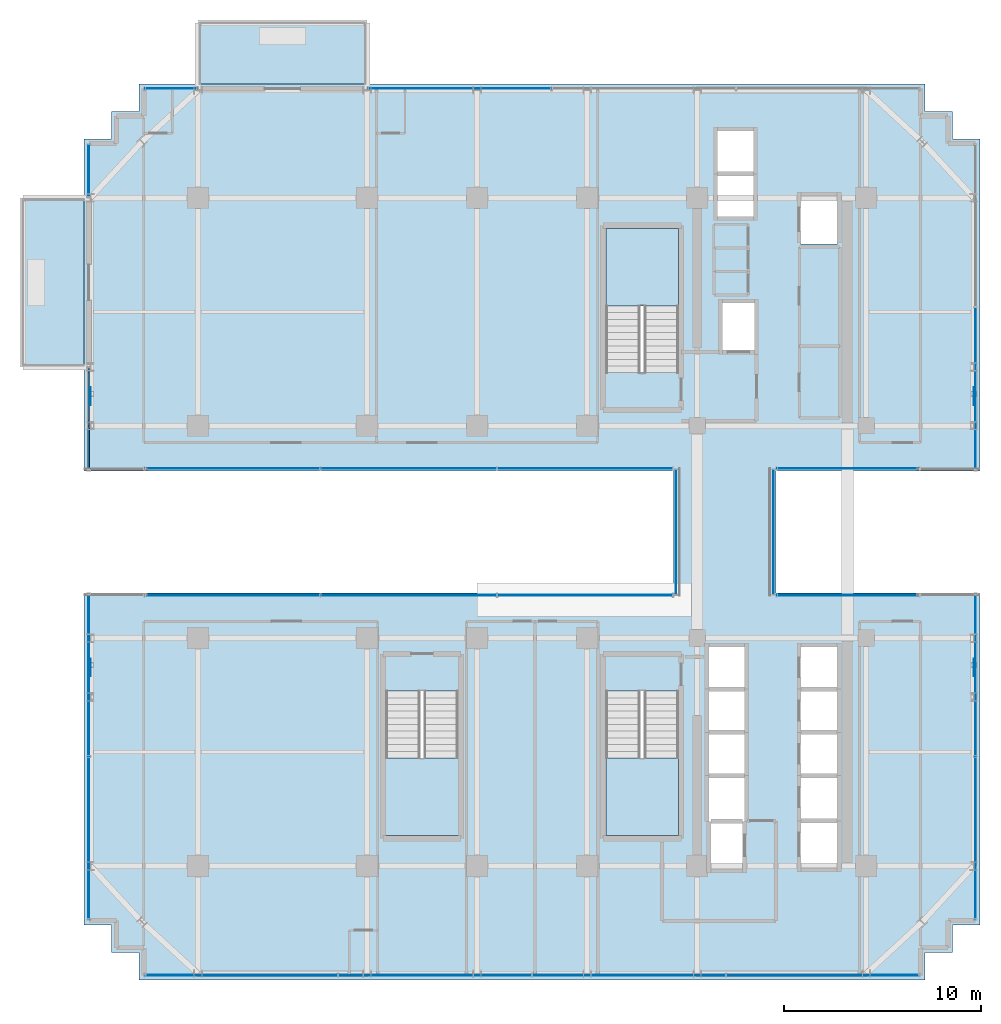
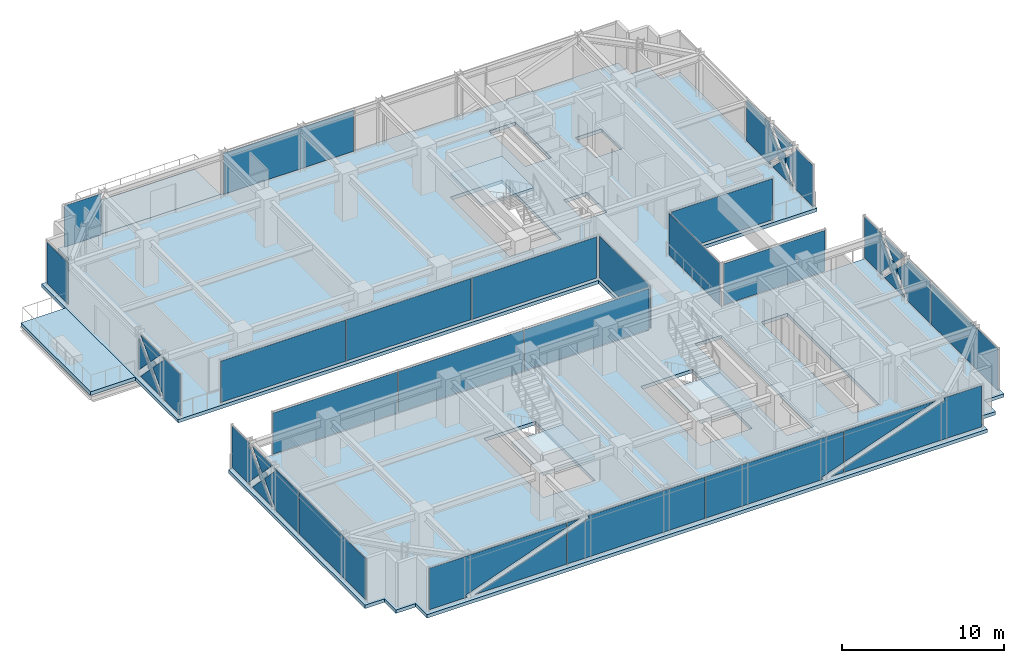
# One storey, part 29 of 37: 27 plates, 6 slabs, 17 elements without a shape of their own.
"""IFC4 building model written with IfcOpenShell, lengths in metres."""

import ifcopenshell
import ifcopenshell.guid

model = None  # the IFC model being written
_history = None  # IfcOwnerHistory: only IFC2X3 demands one
_inside = {}  # id of a spatial element -> (the spatial element, [elements in it])
_under = {}  # id of a project, library or spatial element -> (it, [spatial elements below it])
_declared = {}  # id of a project -> (the project, [libraries it declares])
_typed = {}  # id of a type object -> (the type object, [elements of that type])
_made_of = {}  # id of a material, layer set ... -> (it, [elements and type objects made of it])


def new_model(schema):
    """Start an empty IFC model of exactly this schema.

    Asked for "IFC4X3", IfcOpenShell would pick the latest addendum, in which some entities
    have other attributes; the version numbers below select the first issue.
    IFC2X3 requires an IfcOwnerHistory on every rooted entity: one is made here for all.
    """
    global model, _history
    if schema == "IFC4X3":
        model = ifcopenshell.file(schema_version=(4, 3, 0, 0))
    else:
        model = ifcopenshell.file(schema=schema)
    _inside.clear()
    _under.clear()
    _declared.clear()
    _typed.clear()
    _made_of.clear()
    _history = None
    if model.schema == "IFC2X3":
        org = make("IfcOrganization", Name="unknown")
        user = make(
            "IfcPersonAndOrganization",
            ThePerson=make("IfcPerson", FamilyName="unknown"),
            TheOrganization=org,
        )
        app = make(
            "IfcApplication",
            ApplicationDeveloper=org,
            Version="unknown",
            ApplicationFullName="unknown",
            ApplicationIdentifier="unknown",
        )
        _history = make(
            "IfcOwnerHistory",
            OwningUser=user,
            OwningApplication=app,
            ChangeAction="ADDED",
            CreationDate=0,
        )
    return model


def make(cls, **values):
    """One entity of the class cls with the attributes given. An attribute that is None is left unset."""
    return model.create_entity(
        cls, **{name: value for name, value in values.items() if value is not None}
    )


def rooted(cls, **values):
    """An entity with a GlobalId (a new one), such as an element, a storey or a relation."""
    return make(cls, GlobalId=ifcopenshell.guid.new(), OwnerHistory=_history, **values)


def si_unit(unit_type, name, prefix=None):
    """IfcSIUnit, for example si_unit("LENGTHUNIT", "METRE", prefix="MILLI")."""
    return make("IfcSIUnit", UnitType=unit_type, Prefix=prefix, Name=name)


def assignment(units):
    """IfcUnitAssignment: the units of a project."""
    return None if units is None else make("IfcUnitAssignment", Units=units)


def point(xyz):
    """IfcCartesianPoint."""
    return None if xyz is None else make("IfcCartesianPoint", Coordinates=xyz)


def direction(xyz):
    """IfcDirection."""
    return None if xyz is None else make("IfcDirection", DirectionRatios=xyz)


def frame(location, z_axis=None, x_axis=None):
    """IfcAxis2Placement3D, a coordinate frame: its origin and axes. An axis left out is left unset."""
    return make(
        "IfcAxis2Placement3D",
        Location=point(location),
        Axis=direction(z_axis),
        RefDirection=direction(x_axis),
    )


def frame_2d(location, x_axis=None):
    """IfcAxis2Placement2D, a coordinate frame in the plane: its origin and x axis."""
    return make(
        "IfcAxis2Placement2D", Location=point(location), RefDirection=direction(x_axis)
    )


def origin():
    """The frame at (0, 0, 0) with its axes left unset."""
    return frame((0.0, 0.0, 0.0))


def origin_2d():
    """The frame at (0, 0) in the plane with its x axis left unset."""
    return frame_2d((0.0, 0.0))


def place(relative_to, where):
    """IfcLocalPlacement: puts the frame where relative to a parent placement (None: the world)."""
    return make(
        "IfcLocalPlacement", PlacementRelTo=relative_to, RelativePlacement=where
    )


def context(
    kind, dimensions, precision=None, world=None, true_north=None, identifier=None
):
    """IfcGeometricRepresentationContext, for example the 3D "Model" context."""
    return make(
        "IfcGeometricRepresentationContext",
        ContextIdentifier=identifier,
        ContextType=kind,
        CoordinateSpaceDimension=dimensions,
        Precision=precision,
        WorldCoordinateSystem=world,
        TrueNorth=true_north,
    )


def subcontext(parent, identifier, kind, view, scale=None):
    """IfcGeometricRepresentationSubContext, for example "Body" below "Model"."""
    return make(
        "IfcGeometricRepresentationSubContext",
        ContextIdentifier=identifier,
        ContextType=kind,
        ParentContext=parent,
        TargetScale=scale,
        TargetView=view,
    )


def project(units=None, contexts=None):
    """IfcProject with its units and contexts."""
    return rooted(
        "IfcProject",
        Name="project",
        RepresentationContexts=contexts,
        UnitsInContext=assignment(units),
    )


def spatial(cls, under=None, at=None, **own):
    """A site, building, storey or space (cls), placed at a placement, below another one or the project."""
    s = rooted(cls, ObjectPlacement=at, **own)
    if under is not None:
        _under.setdefault(under.id(), (under, []))[1].append(s)
    return s


def polyline(points):
    """IfcPolyline through the points."""
    return make("IfcPolyline", Points=[point(p) for p in points])


def profile(cls, at=None, kind="AREA", **sizes):
    """A parametric profile (cls). Its sizes go by their IFC names, for example OverallWidth=200.0."""
    return make(cls, ProfileType=kind, Position=at, **sizes)


def rectangle(**sizes):
    """IfcRectangleProfileDef."""
    return profile("IfcRectangleProfileDef", **sizes)


def outline(outer, holes=None, kind="AREA"):
    """IfcArbitraryClosedProfileDef: a profile drawn as a closed curve; with holes, ...WithVoids."""
    if holes is None:
        return make("IfcArbitraryClosedProfileDef", ProfileType=kind, OuterCurve=outer)
    return make(
        "IfcArbitraryProfileDefWithVoids",
        ProfileType=kind,
        OuterCurve=outer,
        InnerCurves=holes,
    )


def extrude(swept, where, along, depth):
    """IfcExtrudedAreaSolid: the profile swept, set in the frame where, extruded along a direction by depth."""
    return make(
        "IfcExtrudedAreaSolid",
        SweptArea=swept,
        Position=where,
        ExtrudedDirection=direction(along),
        Depth=depth,
    )


def shape(context_of_items, identifier, shape_type, items):
    """IfcShapeRepresentation: the items that make up one representation, for example the "Body"."""
    return make(
        "IfcShapeRepresentation",
        ContextOfItems=context_of_items,
        RepresentationIdentifier=identifier,
        RepresentationType=shape_type,
        Items=items,
    )


def source(mapping_origin, context_of_items, identifier, shape_type, items):
    """IfcRepresentationMap: a shape defined once, which mapped items show again and again."""
    return make(
        "IfcRepresentationMap",
        MappingOrigin=mapping_origin,
        MappedRepresentation=shape(context_of_items, identifier, shape_type, items),
    )


def transform(
    local_origin,
    x_axis=None,
    y_axis=None,
    z_axis=None,
    scale=None,
    scale2=None,
    scale3=None,
    uniform=True,
):
    """IfcCartesianTransformationOperator3D, or its non-uniform kind. x_axis, y_axis, z_axis: its Axis1, 2, 3."""
    if uniform:
        return make(
            "IfcCartesianTransformationOperator3D",
            Axis1=direction(x_axis),
            Axis2=direction(y_axis),
            LocalOrigin=point(local_origin),
            Scale=scale,
            Axis3=direction(z_axis),
        )
    return make(
        "IfcCartesianTransformationOperator3DnonUniform",
        Axis1=direction(x_axis),
        Axis2=direction(y_axis),
        LocalOrigin=point(local_origin),
        Scale=scale,
        Axis3=direction(z_axis),
        Scale2=scale2,
        Scale3=scale3,
    )


def mapped(mapping_source, mapping_target):
    """IfcMappedItem: shows the shape of a source again, moved by a transform."""
    return make(
        "IfcMappedItem", MappingSource=mapping_source, MappingTarget=mapping_target
    )


def material(Name=None, Category=None):
    """IfcMaterial."""
    return make("IfcMaterial", Name=Name, Category=Category)


def layer(
    of_material, thickness, ventilated=None, Name=None, Category=None, Priority=None
):
    """IfcMaterialLayer: one layer of a wall or slab, of a material (None: an air gap)."""
    return make(
        "IfcMaterialLayer",
        Material=of_material,
        LayerThickness=thickness,
        IsVentilated=ventilated,
        Name=Name,
        Category=Category,
        Priority=Priority,
    )


def layer_set(layers, Name=None):
    """IfcMaterialLayerSet."""
    return make("IfcMaterialLayerSet", MaterialLayers=layers, LayerSetName=Name)


def made_of(thing, what):
    """Note that an element or type object is made of a material, layer set ...; save() writes the relation."""
    if what is not None:
        _made_of.setdefault(what.id(), (what, []))[1].append(thing)
    return thing


def type_object(cls, material=None, **own):
    """A type object (cls), such as IfcWallType, which elements share."""
    return made_of(rooted(cls, **own), material)


def element(
    cls,
    number,
    at=None,
    inside=None,
    cuts=None,
    type_object=None,
    material=None,
    context=None,
    identifier="Body",
    shape_type=None,
    held_by="IfcProductDefinitionShape",
    body=None,
    shapes=None,
    **own,
):
    """One element of the class cls, such as IfcWall. Its Tag is "e" and its number.

    at: its placement. inside: the storey or other place that contains it. cuts: it is an
    opening in that element (IfcRelVoidsElement). A single representation is given by context,
    identifier, shape_type and body (its items); several are given by shapes. held_by: the class
    of the entity that holds the representations. save() writes the other relations.
    """
    e = rooted(cls, Tag="e%d" % number, ObjectPlacement=at, **own)
    if body is not None:
        shapes = [shape(context, identifier, shape_type, body)]
    if shapes is not None:
        e.Representation = make(held_by, Representations=shapes)
    if inside is not None:
        _inside.setdefault(inside.id(), (inside, []))[1].append(e)
    if cuts is not None:
        rooted(
            "IfcRelVoidsElement", RelatingBuildingElement=cuts, RelatedOpeningElement=e
        )
    if type_object is not None:
        _typed.setdefault(type_object.id(), (type_object, []))[1].append(e)
    return made_of(e, material)


def aggregate(whole, parts):
    """IfcRelAggregates: a whole, such as a stair, and the parts it consists of."""
    return rooted("IfcRelAggregates", RelatingObject=whole, RelatedObjects=parts)


def save(model, path):
    """Write the relations noted so far, then the file.

    IfcRelAggregates (storeys below a building ...), IfcRelContainedInSpatialStructure (elements
    in a storey), IfcRelDefinesByType, IfcRelAssociatesMaterial and IfcRelDeclares: one each for
    every whole, place, type object, material and project.
    """
    for whole, parts in _under.values():
        aggregate(whole, parts)
    for where, things in _inside.values():
        rooted(
            "IfcRelContainedInSpatialStructure",
            RelatedElements=things,
            RelatingStructure=where,
        )
    for kind, things in _typed.values():
        rooted("IfcRelDefinesByType", RelatedObjects=things, RelatingType=kind)
    for what, things in _made_of.values():
        rooted("IfcRelAssociatesMaterial", RelatedObjects=things, RelatingMaterial=what)
    for by, libraries in _declared.values():
        rooted("IfcRelDeclares", RelatingContext=by, RelatedDefinitions=libraries)
    model.write(path)


model = new_model("IFC4")

# Units and contexts
model_context = context("Model", 3, precision=1e-05, world=origin(), true_north=direction((0.0, 1.0)))
body_context = subcontext(model_context, "Body", "Model", "MODEL_VIEW")
ifc_project = project(units=[si_unit("LENGTHUNIT", "METRE"), si_unit("AREAUNIT", "SQUARE_METRE"), si_unit("VOLUMEUNIT", "CUBIC_METRE"), si_unit("PLANEANGLEUNIT", "RADIAN"), si_unit("MASSUNIT", "GRAM", prefix="KILO")], contexts=[model_context])

# Site, building, storey
site_placement = place(None, origin())
site = spatial("IfcSite", under=ifc_project, at=site_placement, CompositionType="ELEMENT")
building_placement = place(site_placement, origin())
building = spatial("IfcBuilding", under=site, at=building_placement, Name="Nahalor Promenade Grand Hotel", CompositionType="ELEMENT")
storey_placement = place(building_placement, frame((0.0, 0.0, 167.25)))
storey = spatial("IfcBuildingStorey", under=building, at=storey_placement, Name="L42", CompositionType="ELEMENT", Elevation=167.25)

# Curtain wall, plates
ifc_material_1 = material(Name="Anodised Bronze Aluminium EN AW-6063 T6", Category="aluminium")
curtain_wall_type_1 = type_object("IfcCurtainWallType", Name="CW3 Elliptical-Void Collar Unitised Curtain Wall", PredefinedType="USERDEFINED", material=ifc_material_1)
curtain_wall_1_placement = place(storey_placement, origin())
curtain_wall_1 = element("IfcCurtainWall", 1, at=curtain_wall_1_placement, inside=storey, type_object=curtain_wall_type_1, Name="L42 Curtain Wall CW-L42-S-1", ObjectType="UNITISED_CURTAIN_WALL", PredefinedType="USERDEFINED")
ifc_material_2 = material(Name="Low-E Laminated Solar Glass", Category="glass")
ifc_layer_1 = layer(ifc_material_2, 0.030029296875)
ifc_layer_set_1 = layer_set([ifc_layer_1], Name="Low-E Laminated Solar Glass")
plate_type_1 = type_object("IfcPlateType", Name="CWP3 High-Wind Laminated Bronze IGU 30mm", PredefinedType="CURTAIN_PANEL", material=ifc_layer_set_1)
plate_1_placement = place(storey_placement, frame((-14.802490234375, -22.56005859375, 0.14013671875), z_axis=(0.0, 0.0, 1.0), x_axis=(1.0, 0.0, 0.0)))
plate_1 = element("IfcPlate", 2, at=plate_1_placement, type_object=plate_type_1, Name="CW-L42-S-1 Glazing Panel 0-0", PredefinedType="CURTAIN_PANEL", context=body_context, shape_type="SweptSolid", body=[
    extrude(outline(polyline([(-4.887451171875, 3.110107421875), (-4.887451171875, 0.0), (-2.220458984375, 0.0), (-2.28857421875, 0.189697265625), (4.887451171875, 2.76806640625), (4.887451171875, 3.110107421875), (-4.887451171875, 3.110107421875)])), frame((0.0, 0.01513671875, 0.0), z_axis=(0.0, -1.0, 0.0), x_axis=(1.0, 0.0, 0.0)), (0.0, 0.0, 1.0), 0.030029296875),
    extrude(outline(polyline([(-1.6337890625, 0.0), (4.887451171875, 0.0), (4.887451171875, 2.343017578125), (-1.6337890625, 0.0)])), frame((0.0, 0.01513671875, 0.0), z_axis=(0.0, -1.0, 0.0), x_axis=(1.0, 0.0, 0.0)), (0.0, 0.0, 1.0), 0.030029296875),
])
plate_2_placement = place(storey_placement, frame((-4.93994140625, -22.56005859375, 0.14013671875), z_axis=(0.0, 0.0, 1.0), x_axis=(1.0, 0.0, 0.0)))
plate_2 = element("IfcPlate", 3, at=plate_2_placement, type_object=plate_type_1, Name="CW-L42-S-1 Glazing Panel 1-0", PredefinedType="CURTAIN_PANEL", context=body_context, shape_type="SweptSolid", body=[
    extrude(outline(polyline([(4.905029296875, 0.0), (4.905029296875, 3.110107421875), (-3.43701171875, 3.110107421875), (-3.368896484375, 2.920166015625), (-4.905029296875, 2.368408203125), (-4.905029296875, 0.0), (4.905029296875, 0.0)])), frame((0.0, 0.01513671875, 0.0), z_axis=(0.0, -1.0, 0.0), x_axis=(1.0, 0.0, 0.0)), (0.0, 0.0, 1.0), 0.030029296875),
    extrude(outline(polyline([(-4.023681640625, 3.110107421875), (-4.905029296875, 3.110107421875), (-4.905029296875, 2.793212890625), (-4.023681640625, 3.110107421875)])), frame((0.0, 0.01513671875, 0.0), z_axis=(0.0, -1.0, 0.0), x_axis=(1.0, 0.0, 0.0)), (0.0, 0.0, 1.0), 0.030029296875),
])
plate_3_placement = place(storey_placement, frame((4.93994140625, -22.56005859375, 0.14013671875), z_axis=(0.0, 0.0, 1.0), x_axis=(1.0, 0.0, 0.0)))
plate_3 = element("IfcPlate", 4, at=plate_3_placement, type_object=plate_type_1, Name="CW-L42-S-1 Glazing Panel 2-0", PredefinedType="CURTAIN_PANEL", context=body_context, shape_type="SweptSolid", body=[
    extrude(outline(polyline([(-4.905029296875, 3.110107421875), (-4.905029296875, 0.0), (3.43701171875, 0.0), (3.368896484375, 0.189697265625), (4.905029296875, 0.74169921875), (4.905029296875, 3.110107421875), (-4.905029296875, 3.110107421875)])), frame((0.0, 0.01513671875, 0.0), z_axis=(0.0, -1.0, 0.0), x_axis=(1.0, 0.0, 0.0)), (0.0, 0.0, 1.0), 0.030029296875),
    extrude(outline(polyline([(4.023681640625, 0.0), (4.905029296875, 0.0), (4.905029296875, 0.316650390625), (4.023681640625, 0.0)])), frame((0.0, 0.01513671875, 0.0), z_axis=(0.0, -1.0, 0.0), x_axis=(1.0, 0.0, 0.0)), (0.0, 0.0, 1.0), 0.030029296875),
])
plate_4_placement = place(storey_placement, frame((14.802490234375, -22.56005859375, 0.14013671875), z_axis=(0.0, 0.0, 1.0), x_axis=(1.0, 0.0, 0.0)))
plate_4 = element("IfcPlate", 5, at=plate_4_placement, type_object=plate_type_1, Name="CW-L42-S-1 Glazing Panel 3-0", PredefinedType="CURTAIN_PANEL", context=body_context, shape_type="SweptSolid", body=[
    extrude(outline(polyline([(4.887451171875, 0.0), (4.887451171875, 3.110107421875), (2.220458984375, 3.110107421875), (2.28857421875, 2.920166015625), (-4.887451171875, 0.341796875), (-4.887451171875, 0.0), (4.887451171875, 0.0)])), frame((0.0, 0.01513671875, 0.0), z_axis=(0.0, -1.0, 0.0), x_axis=(1.0, 0.0, 0.0)), (0.0, 0.0, 1.0), 0.030029296875),
    extrude(outline(polyline([(1.6337890625, 3.110107421875), (-4.887451171875, 3.110107421875), (-4.887451171875, 0.766845703125), (1.6337890625, 3.110107421875)])), frame((0.0, 0.01513671875, 0.0), z_axis=(0.0, -1.0, 0.0), x_axis=(1.0, 0.0, 0.0)), (0.0, 0.0, 1.0), 0.030029296875),
])
aggregate(curtain_wall_1, [plate_1, plate_2, plate_3, plate_4])

# Curtain wall, plate
curtain_wall_2_placement = place(storey_placement, origin())
curtain_wall_2 = element("IfcCurtainWall", 6, at=curtain_wall_2_placement, inside=storey, type_object=curtain_wall_type_1, Name="L42 Curtain Wall CW-L42-W-1", ObjectType="UNITISED_CURTAIN_WALL", PredefinedType="USERDEFINED")
plate_5_placement = place(storey_placement, frame((-22.56005859375, -7.282470703125, 0.14013671875), z_axis=(0.0, 0.0, 1.0), x_axis=(0.0, 1.0, 0.0)))
plate_5 = element("IfcPlate", 7, at=plate_5_placement, type_object=plate_type_1, Name="CW-L42-W-1 Glazing Panel 1-0", PredefinedType="CURTAIN_PANEL", context=body_context, shape_type="SweptSolid", body=[
    extrude(outline(polyline([(-4.112548828125, 3.110107421875), (-4.112548828125, 0.0), (-1.14306640625, 0.0), (-1.2783203125, 0.13134765625), (0.103759765625, 1.554931640625), (-1.2783203125, 2.978515625), (-1.14306640625, 3.110107421875), (-4.112548828125, 3.110107421875)])), frame((0.0, 0.01513671875, 0.0), z_axis=(0.0, -1.0, 0.0), x_axis=(1.0, 0.0, 0.0)), (0.0, 0.0, 1.0), 0.030029296875),
    extrude(outline(polyline([(0.382568359375, 1.267822265625), (-0.848388671875, 0.0), (1.613525390625, 0.0), (0.382568359375, 1.267822265625)])), frame((0.0, 0.01513671875, 0.0), z_axis=(0.0, -1.0, 0.0), x_axis=(1.0, 0.0, 0.0)), (0.0, 0.0, 1.0), 0.030029296875),
    extrude(outline(polyline([(0.382568359375, 1.842041015625), (1.613525390625, 3.110107421875), (-0.848388671875, 3.110107421875), (0.382568359375, 1.842041015625)])), frame((0.0, 0.01513671875, 0.0), z_axis=(0.0, -1.0, 0.0), x_axis=(1.0, 0.0, 0.0)), (0.0, 0.0, 1.0), 0.030029296875),
    extrude(outline(polyline([(4.112548828125, 0.0), (4.112548828125, 3.110107421875), (1.908203125, 3.110107421875), (2.04345703125, 2.978515625), (0.661376953125, 1.554931640625), (2.04345703125, 0.13134765625), (1.908203125, 0.0), (4.112548828125, 0.0)])), frame((0.0, 0.01513671875, 0.0), z_axis=(0.0, -1.0, 0.0), x_axis=(1.0, 0.0, 0.0)), (0.0, 0.0, 1.0), 0.030029296875),
])

curtain_wall_3_placement = place(storey_placement, origin())
curtain_wall_3 = element("IfcCurtainWall", 8, at=curtain_wall_3_placement, inside=storey, type_object=curtain_wall_type_1, Name="L42 Curtain Wall CW-L42-W-2", ObjectType="UNITISED_CURTAIN_WALL", PredefinedType="USERDEFINED")
plate_6_placement = place(storey_placement, frame((-22.56005859375, 5.75, 0.14013671875), z_axis=(0.0, 0.0, 1.0), x_axis=(0.0, 1.0, 0.0)))
plate_6 = element("IfcPlate", 9, at=plate_6_placement, type_object=plate_type_1, Name="CW-L42-W-2 Glazing Panel 0-0", PredefinedType="CURTAIN_PANEL", context=body_context, shape_type="SweptSolid", body=[
    extrude(outline(polyline([(-2.580078125, 3.110107421875), (-2.580078125, 0.0), (-0.37548828125, 0.0), (-0.510986328125, 0.13134765625), (0.871337890625, 1.554931640625), (-0.510986328125, 2.978515625), (-0.37548828125, 3.110107421875), (-2.580078125, 3.110107421875)])), frame((0.0, 0.01513671875, 0.0), z_axis=(0.0, -1.0, 0.0), x_axis=(1.0, 0.0, 0.0)), (0.0, 0.0, 1.0), 0.030029296875),
    extrude(outline(polyline([(1.14990234375, 1.267822265625), (-0.0810546875, 0.0), (2.380859375, 0.0), (1.14990234375, 1.267822265625)])), frame((0.0, 0.01513671875, 0.0), z_axis=(0.0, -1.0, 0.0), x_axis=(1.0, 0.0, 0.0)), (0.0, 0.0, 1.0), 0.030029296875),
    extrude(outline(polyline([(1.14990234375, 1.842041015625), (2.380859375, 3.110107421875), (-0.0810546875, 3.110107421875), (1.14990234375, 1.842041015625)])), frame((0.0, 0.01513671875, 0.0), z_axis=(0.0, -1.0, 0.0), x_axis=(1.0, 0.0, 0.0)), (0.0, 0.0, 1.0), 0.030029296875),
    extrude(outline(polyline([(1.4287109375, 1.554931640625), (2.580078125, 0.369140625), (2.580078125, 2.74072265625), (1.4287109375, 1.554931640625)])), frame((0.0, 0.01513671875, 0.0), z_axis=(0.0, -1.0, 0.0), x_axis=(1.0, 0.0, 0.0)), (0.0, 0.0, 1.0), 0.030029296875),
])
aggregate(curtain_wall_3, [plate_6])

curtain_wall_4_placement = place(storey_placement, origin())
curtain_wall_4 = element("IfcCurtainWall", 10, at=curtain_wall_4_placement, inside=storey, type_object=curtain_wall_type_1, Name="L42 Curtain Wall CW-L42-E-1", ObjectType="UNITISED_CURTAIN_WALL", PredefinedType="USERDEFINED")
plate_7_placement = place(storey_placement, frame((22.56005859375, -7.282470703125, 0.14013671875), z_axis=(0.0, 0.0, 1.0), x_axis=(0.0, 1.0, 0.0)))
plate_7 = element("IfcPlate", 11, at=plate_7_placement, type_object=plate_type_1, Name="CW-L42-E-1 Glazing Panel 1-0", PredefinedType="CURTAIN_PANEL", context=body_context, shape_type="SweptSolid", body=[
    extrude(outline(polyline([(-4.112548828125, 3.110107421875), (-4.112548828125, 0.0), (-1.14306640625, 0.0), (-1.2783203125, 0.13134765625), (0.103759765625, 1.554931640625), (-1.2783203125, 2.978515625), (-1.14306640625, 3.110107421875), (-4.112548828125, 3.110107421875)])), frame((0.0, 0.01513671875, 0.0), z_axis=(0.0, -1.0, 0.0), x_axis=(1.0, 0.0, 0.0)), (0.0, 0.0, 1.0), 0.030029296875),
    extrude(outline(polyline([(0.382568359375, 1.267822265625), (-0.848388671875, 0.0), (1.613525390625, 0.0), (0.382568359375, 1.267822265625)])), frame((0.0, 0.01513671875, 0.0), z_axis=(0.0, -1.0, 0.0), x_axis=(1.0, 0.0, 0.0)), (0.0, 0.0, 1.0), 0.030029296875),
    extrude(outline(polyline([(0.382568359375, 1.842041015625), (1.613525390625, 3.110107421875), (-0.848388671875, 3.110107421875), (0.382568359375, 1.842041015625)])), frame((0.0, 0.01513671875, 0.0), z_axis=(0.0, -1.0, 0.0), x_axis=(1.0, 0.0, 0.0)), (0.0, 0.0, 1.0), 0.030029296875),
    extrude(outline(polyline([(4.112548828125, 0.0), (4.112548828125, 3.110107421875), (1.908203125, 3.110107421875), (2.04345703125, 2.978515625), (0.661376953125, 1.554931640625), (2.04345703125, 0.13134765625), (1.908203125, 0.0), (4.112548828125, 0.0)])), frame((0.0, 0.01513671875, 0.0), z_axis=(0.0, -1.0, 0.0), x_axis=(1.0, 0.0, 0.0)), (0.0, 0.0, 1.0), 0.030029296875),
])

curtain_wall_5_placement = place(storey_placement, origin())
curtain_wall_5 = element("IfcCurtainWall", 12, at=curtain_wall_5_placement, inside=storey, type_object=curtain_wall_type_1, Name="L42 Curtain Wall CW-L42-E-2", ObjectType="UNITISED_CURTAIN_WALL", PredefinedType="USERDEFINED")
plate_8_placement = place(storey_placement, frame((22.56005859375, 7.282470703125, 0.14013671875), z_axis=(0.0, 0.0, 1.0), x_axis=(0.0, 1.0, 0.0)))
plate_8 = element("IfcPlate", 13, at=plate_8_placement, type_object=plate_type_1, Name="CW-L42-E-2 Glazing Panel 0-0", PredefinedType="CURTAIN_PANEL", context=body_context, shape_type="SweptSolid", body=[
    extrude(outline(polyline([(-4.112548828125, 3.110107421875), (-4.112548828125, 0.0), (-1.908203125, 0.0), (-2.04345703125, 0.13134765625), (-0.661376953125, 1.554931640625), (-2.04345703125, 2.978515625), (-1.908203125, 3.110107421875), (-4.112548828125, 3.110107421875)])), frame((0.0, 0.01513671875, 0.0), z_axis=(0.0, -1.0, 0.0), x_axis=(1.0, 0.0, 0.0)), (0.0, 0.0, 1.0), 0.030029296875),
    extrude(outline(polyline([(-0.382568359375, 1.267822265625), (-1.613525390625, 0.0), (0.848388671875, 0.0), (-0.382568359375, 1.267822265625)])), frame((0.0, 0.01513671875, 0.0), z_axis=(0.0, -1.0, 0.0), x_axis=(1.0, 0.0, 0.0)), (0.0, 0.0, 1.0), 0.030029296875),
    extrude(outline(polyline([(-0.382568359375, 1.842041015625), (0.848388671875, 3.110107421875), (-1.613525390625, 3.110107421875), (-0.382568359375, 1.842041015625)])), frame((0.0, 0.01513671875, 0.0), z_axis=(0.0, -1.0, 0.0), x_axis=(1.0, 0.0, 0.0)), (0.0, 0.0, 1.0), 0.030029296875),
    extrude(outline(polyline([(4.112548828125, 0.0), (4.112548828125, 3.110107421875), (1.14306640625, 3.110107421875), (1.2783203125, 2.978515625), (-0.103759765625, 1.554931640625), (1.2783203125, 0.13134765625), (1.14306640625, 0.0), (4.112548828125, 0.0)])), frame((0.0, 0.01513671875, 0.0), z_axis=(0.0, -1.0, 0.0), x_axis=(1.0, 0.0, 0.0)), (0.0, 0.0, 1.0), 0.030029296875),
])
aggregate(curtain_wall_5, [plate_8])

# Stair, slab
ifc_material_3 = material(Name="Concrete B-50 (C40/50)", Category="concrete")
stair_type_1 = type_object("IfcStairType", Name="Stair-ST1", PredefinedType="HALF_TURN_STAIR", material=ifc_material_3)
stair_1_placement = place(storey_placement, origin())
stair_1 = element("IfcStair", 14, at=stair_1_placement, inside=storey, type_object=stair_type_1, Name="L42 ST1", PredefinedType="HALF_TURN_STAIR")
ifc_layer_2 = layer(ifc_material_3, 0.199951171875)
ifc_layer_set_2 = layer_set([ifc_layer_2], Name="Concrete B-50 (C40/50)")
slab_type_1 = type_object("IfcSlabType", Name="Landing-ST1", PredefinedType="LANDING", material=ifc_layer_set_2)
slab_1_placement = place(storey_placement, frame((0.0, 0.0, 1.625)))
slab_1 = element("IfcSlab", 15, at=slab_1_placement, type_object=slab_type_1, Name="ST1 landing 1", PredefinedType="LANDING", context=body_context, shape_type="SweptSolid", body=[
    extrude(outline(polyline([(7.449951171875, 11.5), (7.449951171875, 15.449951171875), (3.75, 15.449951171875), (3.75, 11.5), (7.449951171875, 11.5)])), origin(), (0.0, 0.0, 1.0), 0.199951171875),
])
aggregate(stair_1, [slab_1])

stair_type_2 = type_object("IfcStairType", Name="Stair-ST2", PredefinedType="HALF_TURN_STAIR", material=ifc_material_3)
stair_2_placement = place(storey_placement, origin())
stair_2 = element("IfcStair", 16, at=stair_2_placement, inside=storey, type_object=stair_type_2, Name="L42 ST2", PredefinedType="HALF_TURN_STAIR")
ifc_layer_3 = layer(ifc_material_3, 0.2099609375)
ifc_layer_set_3 = layer_set([ifc_layer_3], Name="Concrete B-50 (C40/50)")
slab_type_2 = type_object("IfcSlabType", Name="Landing-ST2", PredefinedType="LANDING", material=ifc_layer_set_3)
slab_2_placement = place(storey_placement, frame((0.0, 0.0, 1.614990234375)))
slab_2 = element("IfcSlab", 17, at=slab_2_placement, type_object=slab_type_2, Name="ST2 landing 1", PredefinedType="LANDING", context=body_context, shape_type="SweptSolid", body=[
    extrude(outline(polyline([(3.75, -11.5), (3.75, -15.449951171875), (7.449951171875, -15.449951171875), (7.449951171875, -11.5), (3.75, -11.5)])), origin(), (0.0, 0.0, 1.0), 0.2099609375),
])
aggregate(stair_2, [slab_2])

stair_type_3 = type_object("IfcStairType", Name="Stair-ST3", PredefinedType="HALF_TURN_STAIR", material=ifc_material_3)
stair_3_placement = place(storey_placement, origin())
stair_3 = element("IfcStair", 18, at=stair_3_placement, inside=storey, type_object=stair_type_3, Name="L42 ST3", PredefinedType="HALF_TURN_STAIR")
ifc_layer_4 = layer(ifc_material_3, 0.219970703125)
ifc_layer_set_4 = layer_set([ifc_layer_4], Name="Concrete B-50 (C40/50)")
slab_type_3 = type_object("IfcSlabType", Name="Landing-ST3", PredefinedType="LANDING", material=ifc_layer_set_4)
slab_3_placement = place(storey_placement, frame((0.0, 0.0, 1.60498046875)))
slab_3 = element("IfcSlab", 19, at=slab_3_placement, type_object=slab_type_3, Name="ST3 landing 1", PredefinedType="LANDING", context=body_context, shape_type="SweptSolid", body=[
    extrude(outline(polyline([(-7.449951171875, -11.5), (-7.449951171875, -15.449951171875), (-3.75, -15.449951171875), (-3.75, -11.5), (-7.449951171875, -11.5)])), origin(), (0.0, 0.0, 1.0), 0.219970703125),
])
aggregate(stair_3, [slab_3])

# Slabs
ifc_layer_5 = layer(ifc_material_3, 0.280029296875)
ifc_layer_set_5 = layer_set([ifc_layer_5], Name="Concrete B-50 (C40/50)")
slab_type_4 = type_object("IfcSlabType", Name="Slab-Balcony-280", PredefinedType="FLOOR", material=ifc_layer_set_5)
slab_4_placement = place(storey_placement, frame((0.0, 0.0, -0.280029296875)))
element("IfcSlab", 20, at=slab_4_placement, inside=storey, type_object=slab_type_4, Name="L42 Cantilevered Planted Balcony 1", PredefinedType="FLOOR", context=body_context, shape_type="SweptSolid", body=[
    extrude(outline(polyline([(-17.0, 22.800048828125), (-8.39990234375, 22.800048828125), (-8.39990234375, 25.97998046875), (-17.0, 25.97998046875), (-17.0, 22.800048828125)])), origin(), (0.0, 0.0, 1.0), 0.280029296875),
])
slab_5_placement = place(storey_placement, frame((0.0, 0.0, -0.280029296875)))
element("IfcSlab", 21, at=slab_5_placement, inside=storey, type_object=slab_type_4, Name="L42 Cantilevered Planted Balcony 2", PredefinedType="FLOOR", context=body_context, shape_type="SweptSolid", body=[
    extrude(outline(polyline([(-25.989990234375, 8.39990234375), (-22.800048828125, 8.39990234375), (-22.800048828125, 17.0), (-25.989990234375, 17.0), (-25.989990234375, 8.39990234375)])), origin(), (0.0, 0.0, 1.0), 0.280029296875),
])
ifc_layer_6 = layer(ifc_material_3, 0.260009765625)
ifc_layer_set_6 = layer_set([ifc_layer_6], Name="Concrete B-50 (C40/50)")
slab_type_5 = type_object("IfcSlabType", Name="Slab-TowerZ3-260", PredefinedType="FLOOR", material=ifc_layer_set_6)
slab_6_placement = place(storey_placement, frame((0.0, 0.0, -0.260009765625)))
element("IfcSlab", 22, at=slab_6_placement, inside=storey, type_object=slab_type_5, Name="L42 Suspended Structural Floor Slab", PredefinedType="FLOOR", context=body_context, shape_type="SweptSolid", body=[
    extrude(outline(polyline([(-20.0, -22.800048828125), (20.0, -22.800048828125), (20.0, -21.39990234375), (21.39990234375, -21.39990234375), (21.39990234375, -20.0), (22.800048828125, -20.0), (22.800048828125, -3.10009765625), (12.39990234375, -3.10009765625), (12.39990234375, 3.10009765625), (22.800048828125, 3.10009765625), (22.800048828125, 20.0), (21.39990234375, 20.0), (21.39990234375, 21.39990234375), (20.0, 21.39990234375), (20.0, 22.800048828125), (-20.0, 22.800048828125), (-20.0, 21.39990234375), (-21.39990234375, 21.39990234375), (-21.39990234375, 20.0), (-22.800048828125, 20.0), (-22.800048828125, 3.10009765625), (7.199951171875, 3.10009765625), (7.199951171875, -3.10009765625), (-22.800048828125, -3.10009765625), (-22.800048828125, -20.0), (-21.39990234375, -20.0), (-21.39990234375, -21.39990234375), (-20.0, -21.39990234375), (-20.0, -22.800048828125)]), holes=[polyline([(3.75, 8.10009765625), (7.449951171875, 8.10009765625), (7.449951171875, 15.449951171875), (3.75, 15.449951171875), (3.75, 8.10009765625)]), polyline([(3.75, -15.449951171875), (7.449951171875, -15.449951171875), (7.449951171875, -8.10009765625), (3.75, -8.10009765625), (3.75, -15.449951171875)]), polyline([(-7.449951171875, -15.449951171875), (-3.75, -15.449951171875), (-3.75, -8.10009765625), (-7.449951171875, -8.10009765625), (-7.449951171875, -15.449951171875)]), polyline([(13.659912109375, -17.139892578125), (15.5400390625, -17.139892578125), (15.5400390625, -5.81005859375), (13.659912109375, -5.81005859375), (13.659912109375, -17.139892578125)]), polyline([(8.9599609375, -17.18994140625), (10.840087890625, -17.18994140625), (10.840087890625, -5.81005859375), (8.9599609375, -5.81005859375), (8.9599609375, -17.18994140625)]), polyline([(9.409912109375, 16.010009765625), (11.2900390625, 16.010009765625), (11.2900390625, 20.43994140625), (9.409912109375, 20.43994140625), (9.409912109375, 16.010009765625)]), polyline([(9.659912109375, 9.2099609375), (11.340087890625, 9.2099609375), (11.340087890625, 11.68994140625), (9.659912109375, 11.68994140625), (9.659912109375, 9.2099609375)]), polyline([(13.659912109375, 14.659912109375), (15.5400390625, 14.659912109375), (15.5400390625, 17.139892578125), (13.659912109375, 17.139892578125), (13.659912109375, 14.659912109375)])]), origin(), (0.0, 0.0, 1.0), 0.260009765625),
])

# Plates
ifc_material_4 = material(Name="Steel S355J2", Category="steel")
ifc_layer_7 = layer(ifc_material_4, 0.035888671875)
ifc_layer_set_7 = layer_set([ifc_layer_7], Name="Steel S355J2")
plate_type_2 = type_object("IfcPlateType", Name="Plate-CrossGusset-36", PredefinedType="USERDEFINED", material=ifc_layer_set_7)
shared_shape_1 = source(origin(), body_context, "Body", "SweptSolid", [
    extrude(rectangle(XDim=0.89990234375, YDim=0.035888671875, at=origin_2d()), origin(), (0.0, 0.0, 1.0), 0.89990234375),
])
for number, where, z_axis, x_axis, name in (
    (23, (-22.47998046875, -6.89990234375, 1.2451171875), (0.0, 0.0, 1.0), (0.0, 1.0, 0.0), "PL-L42-VXX-W0"),
    (24, (-22.47998046875, 6.89990234375, 1.2451171875), (0.0, 0.0, 1.0), (0.0, 1.0, 0.0), "PL-L42-VXX-W1"),
    (25, (22.47998046875, -6.89990234375, 1.2451171875), (0.0, 0.0, 1.0), (0.0, 1.0, 0.0), "PL-L42-VXX-E0"),
    (26, (22.47998046875, 6.89990234375, 1.2451171875), (0.0, 0.0, 1.0), (0.0, 1.0, 0.0), "PL-L42-VXX-E1"),
):
    element("IfcPlate", number, at=place(storey_placement, frame(where, z_axis=z_axis, x_axis=x_axis)), inside=storey, type_object=plate_type_2, Name=name, ObjectType="GUSSET_PLATE", PredefinedType="USERDEFINED", context=body_context, shape_type="MappedRepresentation", body=[
        mapped(shared_shape_1, transform((0.0, 0.0, 0.0), scale=1.0)),
    ])

# Curtain wall, plate
curtain_wall_6_placement = place(storey_placement, origin())
curtain_wall_6 = element("IfcCurtainWall", 27, at=curtain_wall_6_placement, inside=storey, type_object=curtain_wall_type_1, Name="L42 Curtain Wall CW-L42-N-1", ObjectType="UNITISED_CURTAIN_WALL", PredefinedType="USERDEFINED")
shared_shape_2 = source(origin(), body_context, "Body", "SweptSolid", [
    extrude(rectangle(XDim=2.6201171875, YDim=0.030029296875, at=origin_2d()), origin(), (0.0, 0.0, 1.0), 3.110107421875),
])
plate_9_placement = place(storey_placement, frame((-18.3798828125, 22.56005859375, 0.14013671875), z_axis=(0.0, 0.0, 1.0), x_axis=(1.0, 0.0, 0.0)))
plate_9 = element("IfcPlate", 28, at=plate_9_placement, type_object=plate_type_1, Name="CW-L42-N-1 Glazing Panel 0-0", PredefinedType="CURTAIN_PANEL", context=body_context, shape_type="MappedRepresentation", body=[
    mapped(shared_shape_2, transform((0.0, 0.0, 0.0), scale=1.0)),
])
aggregate(curtain_wall_6, [plate_9])

curtain_wall_7_placement = place(storey_placement, origin())
curtain_wall_7 = element("IfcCurtainWall", 29, at=curtain_wall_7_placement, inside=storey, type_object=curtain_wall_type_1, Name="L42 Curtain Wall CW-L42-W-4", ObjectType="UNITISED_CURTAIN_WALL", PredefinedType="USERDEFINED")
plate_10_placement = place(storey_placement, frame((-22.56005859375, 18.3798828125, 0.14013671875), z_axis=(0.0, 0.0, 1.0), x_axis=(0.0, 1.0, 0.0)))
plate_10 = element("IfcPlate", 30, at=plate_10_placement, type_object=plate_type_1, Name="CW-L42-W-4 Glazing Panel 0-0", PredefinedType="CURTAIN_PANEL", context=body_context, shape_type="MappedRepresentation", body=[
    mapped(shared_shape_2, transform((0.0, 0.0, 0.0), scale=1.0)),
])
aggregate(curtain_wall_7, [plate_10])

# Curtain wall, plates
curtain_wall_8_placement = place(storey_placement, origin())
curtain_wall_8 = element("IfcCurtainWall", 31, at=curtain_wall_8_placement, inside=storey, type_object=curtain_wall_type_1, Name="L42 Curtain Wall CW-L42-VOID-WS1", ObjectType="UNITISED_CURTAIN_WALL", PredefinedType="USERDEFINED")
shared_shape_3 = source(origin(), body_context, "Body", "SweptSolid", [
    extrude(rectangle(XDim=8.881591796875, YDim=0.030029296875, at=origin_2d()), origin(), (0.0, 0.0, 1.0), 3.110107421875),
])
plate_11_placement = place(storey_placement, frame((-15.249267578125, -3.219970703125, 0.14013671875), z_axis=(0.0, 0.0, 1.0), x_axis=(1.0, 0.0, 0.0)))
plate_11 = element("IfcPlate", 32, at=plate_11_placement, type_object=plate_type_1, Name="CW-L42-VOID-WS1 Glazing Panel 0-0", PredefinedType="CURTAIN_PANEL", context=body_context, shape_type="MappedRepresentation", body=[
    mapped(shared_shape_3, transform((0.0, 0.0, 0.0), scale=1.0)),
])
plate_12_placement = place(storey_placement, frame((2.689208984375, -3.219970703125, 0.14013671875), z_axis=(0.0, 0.0, 1.0), x_axis=(1.0, 0.0, 0.0)))
plate_12 = element("IfcPlate", 33, at=plate_12_placement, type_object=plate_type_1, Name="CW-L42-VOID-WS1 Glazing Panel 2-0", PredefinedType="CURTAIN_PANEL", context=body_context, shape_type="MappedRepresentation", body=[
    mapped(shared_shape_3, transform((0.0, 0.0, 0.0), scale=1.0)),
])

curtain_wall_9_placement = place(storey_placement, origin())
curtain_wall_9 = element("IfcCurtainWall", 34, at=curtain_wall_9_placement, inside=storey, type_object=curtain_wall_type_1, Name="L42 Curtain Wall CW-L42-VOID-WN1", ObjectType="UNITISED_CURTAIN_WALL", PredefinedType="USERDEFINED")
plate_13_placement = place(storey_placement, frame((-15.249267578125, 3.219970703125, 0.14013671875), z_axis=(0.0, 0.0, 1.0), x_axis=(1.0, 0.0, 0.0)))
plate_13 = element("IfcPlate", 35, at=plate_13_placement, type_object=plate_type_1, Name="CW-L42-VOID-WN1 Glazing Panel 0-0", PredefinedType="CURTAIN_PANEL", context=body_context, shape_type="MappedRepresentation", body=[
    mapped(shared_shape_3, transform((0.0, 0.0, 0.0), scale=1.0)),
])
plate_14_placement = place(storey_placement, frame((2.689208984375, 3.219970703125, 0.14013671875), z_axis=(0.0, 0.0, 1.0), x_axis=(1.0, 0.0, 0.0)))
plate_14 = element("IfcPlate", 36, at=plate_14_placement, type_object=plate_type_1, Name="CW-L42-VOID-WN1 Glazing Panel 2-0", PredefinedType="CURTAIN_PANEL", context=body_context, shape_type="MappedRepresentation", body=[
    mapped(shared_shape_3, transform((0.0, 0.0, 0.0), scale=1.0)),
])

# Plate
shared_shape_4 = source(origin(), body_context, "Body", "SweptSolid", [
    extrude(rectangle(XDim=8.916748046875, YDim=0.030029296875, at=origin_2d()), origin(), (0.0, 0.0, 1.0), 3.110107421875),
])
plate_15_placement = place(storey_placement, frame((-6.280029296875, -3.219970703125, 0.14013671875), z_axis=(0.0, 0.0, 1.0), x_axis=(1.0, 0.0, 0.0)))
plate_15 = element("IfcPlate", 37, at=plate_15_placement, type_object=plate_type_1, Name="CW-L42-VOID-WS1 Glazing Panel 1-0", PredefinedType="CURTAIN_PANEL", context=body_context, shape_type="MappedRepresentation", body=[
    mapped(shared_shape_4, transform((0.0, 0.0, 0.0), scale=1.0)),
])

aggregate(curtain_wall_8, [plate_11, plate_15, plate_12])

plate_16_placement = place(storey_placement, frame((-6.280029296875, 3.219970703125, 0.14013671875), z_axis=(0.0, 0.0, 1.0), x_axis=(1.0, 0.0, 0.0)))
plate_16 = element("IfcPlate", 38, at=plate_16_placement, type_object=plate_type_1, Name="CW-L42-VOID-WN1 Glazing Panel 1-0", PredefinedType="CURTAIN_PANEL", context=body_context, shape_type="MappedRepresentation", body=[
    mapped(shared_shape_4, transform((0.0, 0.0, 0.0), scale=1.0)),
])

aggregate(curtain_wall_9, [plate_13, plate_16, plate_14])

# Curtain wall, plate
curtain_wall_10_placement = place(storey_placement, origin())
curtain_wall_10 = element("IfcCurtainWall", 39, at=curtain_wall_10_placement, inside=storey, type_object=curtain_wall_type_1, Name="L42 Curtain Wall CW-L42-VOID-ES1", ObjectType="UNITISED_CURTAIN_WALL", PredefinedType="USERDEFINED")
shared_shape_5 = source(origin(), body_context, "Body", "SweptSolid", [
    extrude(rectangle(XDim=7.219970703125, YDim=0.030029296875, at=origin_2d()), origin(), (0.0, 0.0, 1.0), 3.110107421875),
])
plate_17_placement = place(storey_placement, frame((16.080078125, -3.219970703125, 0.14013671875), z_axis=(0.0, 0.0, 1.0), x_axis=(1.0, 0.0, 0.0)))
plate_17 = element("IfcPlate", 40, at=plate_17_placement, type_object=plate_type_1, Name="CW-L42-VOID-ES1 Glazing Panel 0-0", PredefinedType="CURTAIN_PANEL", context=body_context, shape_type="MappedRepresentation", body=[
    mapped(shared_shape_5, transform((0.0, 0.0, 0.0), scale=1.0)),
])
aggregate(curtain_wall_10, [plate_17])

curtain_wall_11_placement = place(storey_placement, origin())
curtain_wall_11 = element("IfcCurtainWall", 41, at=curtain_wall_11_placement, inside=storey, type_object=curtain_wall_type_1, Name="L42 Curtain Wall CW-L42-VOID-EN1", ObjectType="UNITISED_CURTAIN_WALL", PredefinedType="USERDEFINED")
plate_18_placement = place(storey_placement, frame((16.080078125, 3.219970703125, 0.14013671875), z_axis=(0.0, 0.0, 1.0), x_axis=(1.0, 0.0, 0.0)))
plate_18 = element("IfcPlate", 42, at=plate_18_placement, type_object=plate_type_1, Name="CW-L42-VOID-EN1 Glazing Panel 0-0", PredefinedType="CURTAIN_PANEL", context=body_context, shape_type="MappedRepresentation", body=[
    mapped(shared_shape_5, transform((0.0, 0.0, 0.0), scale=1.0)),
])
aggregate(curtain_wall_11, [plate_18])

# Plate
shared_shape_6 = source(origin(), body_context, "Body", "SweptSolid", [
    extrude(rectangle(XDim=8.22509765625, YDim=0.030029296875, at=origin_2d()), origin(), (0.0, 0.0, 1.0), 3.110107421875),
])
plate_19_placement = place(storey_placement, frame((-22.56005859375, -15.577392578125, 0.14013671875), z_axis=(0.0, 0.0, 1.0), x_axis=(0.0, 1.0, 0.0)))
plate_19 = element("IfcPlate", 43, at=plate_19_placement, type_object=plate_type_1, Name="CW-L42-W-1 Glazing Panel 0-0", PredefinedType="CURTAIN_PANEL", context=body_context, shape_type="MappedRepresentation", body=[
    mapped(shared_shape_6, transform((0.0, 0.0, 0.0), scale=1.0)),
])

aggregate(curtain_wall_2, [plate_19, plate_5])

plate_20_placement = place(storey_placement, frame((22.56005859375, -15.577392578125, 0.14013671875), z_axis=(0.0, 0.0, 1.0), x_axis=(0.0, 1.0, 0.0)))
plate_20 = element("IfcPlate", 44, at=plate_20_placement, type_object=plate_type_1, Name="CW-L42-E-1 Glazing Panel 0-0", PredefinedType="CURTAIN_PANEL", context=body_context, shape_type="MappedRepresentation", body=[
    mapped(shared_shape_6, transform((0.0, 0.0, 0.0), scale=1.0)),
])

aggregate(curtain_wall_4, [plate_20, plate_7])

# Curtain wall, plate
curtain_wall_type_2 = type_object("IfcCurtainWallType", Name="CW4 Low-Iron Sky-Gallery Bridge Curtain Wall", PredefinedType="USERDEFINED", material=ifc_material_1)
curtain_wall_12_placement = place(storey_placement, origin())
curtain_wall_12 = element("IfcCurtainWall", 45, at=curtain_wall_12_placement, inside=storey, type_object=curtain_wall_type_2, Name="L42 Curtain Wall CW-L42-BRG-W", ObjectType="UNITISED_CURTAIN_WALL", PredefinedType="USERDEFINED")
ifc_layer_8 = layer(ifc_material_2, 0.02587890625)
ifc_layer_set_8 = layer_set([ifc_layer_8], Name="Low-E Laminated Solar Glass")
plate_type_3 = type_object("IfcPlateType", Name="CWP4 Ultra-Clear Low-Iron Bridge IGU 26mm", PredefinedType="CURTAIN_PANEL", material=ifc_layer_set_8)
shared_shape_7 = source(origin(), body_context, "Body", "SweptSolid", [
    extrude(rectangle(XDim=6.320068359375, YDim=0.02587890625, at=origin_2d()), origin(), (0.0, 0.0, 1.0), 3.14990234375),
])
plate_21_placement = place(storey_placement, frame((7.320068359375, 0.0, 0.1201171875), z_axis=(0.0, 0.0, 1.0), x_axis=(0.0, 1.0, 0.0)))
plate_21 = element("IfcPlate", 46, at=plate_21_placement, type_object=plate_type_3, Name="CW-L42-BRG-W Glazing Panel 0-0", PredefinedType="CURTAIN_PANEL", context=body_context, shape_type="MappedRepresentation", body=[
    mapped(shared_shape_7, transform((0.0, 0.0, 0.0), scale=1.0)),
])
aggregate(curtain_wall_12, [plate_21])

curtain_wall_13_placement = place(storey_placement, origin())
curtain_wall_13 = element("IfcCurtainWall", 47, at=curtain_wall_13_placement, inside=storey, type_object=curtain_wall_type_2, Name="L42 Curtain Wall CW-L42-BRG-E", ObjectType="UNITISED_CURTAIN_WALL", PredefinedType="USERDEFINED")
plate_22_placement = place(storey_placement, frame((12.280029296875, 0.0, 0.1201171875), z_axis=(0.0, 0.0, 1.0), x_axis=(0.0, 1.0, 0.0)))
plate_22 = element("IfcPlate", 48, at=plate_22_placement, type_object=plate_type_3, Name="CW-L42-BRG-E Glazing Panel 0-0", PredefinedType="CURTAIN_PANEL", context=body_context, shape_type="MappedRepresentation", body=[
    mapped(shared_shape_7, transform((0.0, 0.0, 0.0), scale=1.0)),
])
aggregate(curtain_wall_13, [plate_22])

curtain_wall_14_placement = place(storey_placement, origin())
curtain_wall_14 = element("IfcCurtainWall", 49, at=curtain_wall_14_placement, inside=storey, type_object=curtain_wall_type_1, Name="L42 Curtain Wall CW-L42-N-3", ObjectType="UNITISED_CURTAIN_WALL", PredefinedType="USERDEFINED")
shared_shape_8 = source(origin(), body_context, "Body", "SweptSolid", [
    extrude(rectangle(XDim=9.28173828125, YDim=0.030029296875, at=origin_2d()), origin(), (0.0, 0.0, 1.0), 3.110107421875),
])
plate_23_placement = place(storey_placement, frame((-3.689208984375, 22.56005859375, 0.14013671875), z_axis=(0.0, 0.0, 1.0), x_axis=(1.0, 0.0, 0.0)))
plate_23 = element("IfcPlate", 50, at=plate_23_placement, type_object=plate_type_1, Name="CW-L42-N-3 Glazing Panel 0-0", PredefinedType="CURTAIN_PANEL", context=body_context, shape_type="MappedRepresentation", body=[
    mapped(shared_shape_8, transform((0.0, 0.0, 0.0), scale=1.0)),
])
aggregate(curtain_wall_14, [plate_23])

save(model, "model.ifc")
